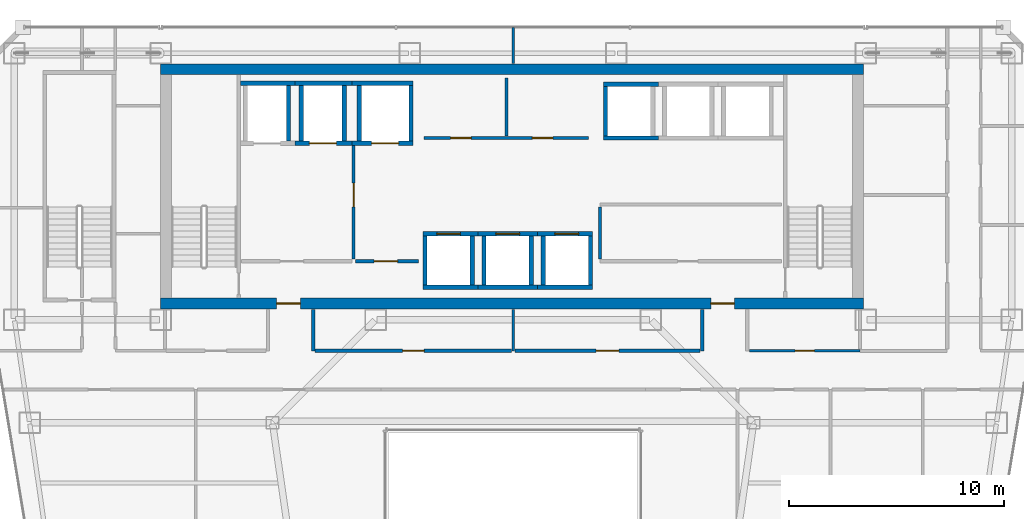
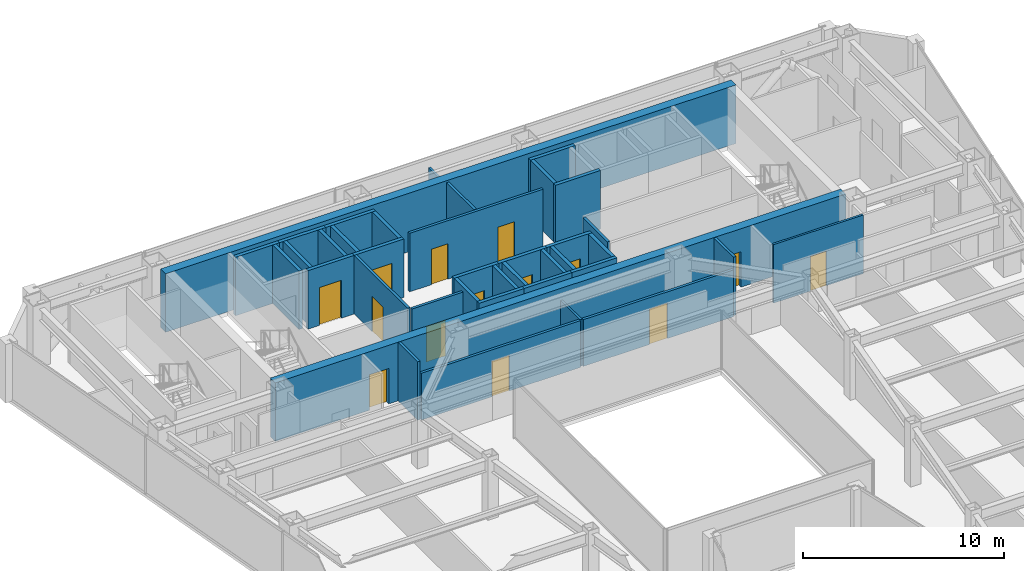
# One storey, part 32 of 36: 39 walls, 14 doors, 14 openings.
"""IFC4 building model written with IfcOpenShell, lengths in metres."""

from ifc_helpers import new_model, si_unit, direction, frame, frame_2d, origin, place, context, subcontext, project, spatial, rectangle, extrude, material, layer, layer_set, type_object, element, fill, save


model = new_model("IFC4")

# Units and contexts
model_context = context("Model", 3, precision=1e-05, world=origin(), true_north=direction((0.0, 1.0)))
body_context = subcontext(model_context, "Body", "Model", "MODEL_VIEW")
ifc_project = project(units=[si_unit("LENGTHUNIT", "METRE"), si_unit("AREAUNIT", "SQUARE_METRE"), si_unit("VOLUMEUNIT", "CUBIC_METRE"), si_unit("PLANEANGLEUNIT", "RADIAN"), si_unit("MASSUNIT", "GRAM", prefix="KILO")], contexts=[model_context])

# Site, building, storey
site_placement = place(None, origin())
site = spatial("IfcSite", under=ifc_project, at=site_placement, CompositionType="ELEMENT")
building_placement = place(site_placement, origin())
building = spatial("IfcBuilding", under=site, at=building_placement, Name="Saevonmaru Cultural Tower", CompositionType="ELEMENT")
storey_placement = place(building_placement, frame((0.0, 0.0, 148.60009765625)))
storey = spatial("IfcBuildingStorey", under=building, at=storey_placement, Name="L32", CompositionType="ELEMENT", Elevation=148.60009765625)

# Wall, openings, doors
ifc_material_1 = material(Name="Concrete C60/75", Category="concrete")
ifc_layer_1 = layer(ifc_material_1, 0.5, Name="Concrete C60/75")
ifc_layer_set_1 = layer_set([ifc_layer_1], Name="Concrete C60/75")
wall_type_1 = type_object("IfcWallType", Name="WL-CORE-500", PredefinedType="SHEAR", material=ifc_layer_set_1)
wall_1_placement = place(storey_placement, frame((13.60009765625, 43.14990234375, 0.0), z_axis=(0.0, 0.0, 1.0), x_axis=(1.0, 0.0, 0.0)))
wall_1 = element("IfcWall", 1, at=wall_1_placement, inside=storey, type_object=wall_type_1, Name="L32 Tower RC core shear wall S", PredefinedType="SHEAR", context=body_context, shape_type="SweptSolid", body=[
    extrude(rectangle(XDim=32.699951171875, YDim=0.5, at=frame_2d((16.35009765625, 0.0))), origin(), (0.0, 0.0, 1.0), 3.5498046875),
])
opening_1_placement = place(wall_1_placement, frame((5.39990234375, 0.0, 0.0)))
opening_1 = element("IfcOpeningElement", 2, at=opening_1_placement, cuts=wall_1, Name="Opening FD-2", PredefinedType="OPENING", context=body_context, shape_type="SweptSolid", body=[
    extrude(rectangle(XDim=1.10009765625, YDim=2.14990234375, at=frame_2d((0.550048828125, 1.074951171875))), frame((0.0, 0.260009765625, 0.0), z_axis=(0.0, -1.0, 0.0), x_axis=(1.0, 0.0, 0.0)), (0.0, 0.0, 1.0), 0.52001953125),
])
opening_2_placement = place(wall_1_placement, frame((25.60009765625, 0.0, 0.0)))
opening_2 = element("IfcOpeningElement", 3, at=opening_2_placement, cuts=wall_1, Name="Opening FD-2", PredefinedType="OPENING", context=body_context, shape_type="SweptSolid", body=[
    extrude(rectangle(XDim=1.10009765625, YDim=2.14990234375, at=frame_2d((0.550048828125, 1.074951171875))), frame((0.0, 0.260009765625, 0.0), z_axis=(0.0, -1.0, 0.0), x_axis=(1.0, 0.0, 0.0)), (0.0, 0.0, 1.0), 0.52001953125),
])
ifc_material_2 = material(Name="Satin Bronze Anodised Aluminium", Category="aluminium")
door_type_1 = type_object("IfcDoorType", Name="DR-FD60-1100", OperationType="SINGLE_SWING_LEFT", PredefinedType="DOOR", material=ifc_material_2)
door_1_placement = place(opening_1_placement, origin())
door_1 = element("IfcDoor", 4, at=door_1_placement, inside=storey, type_object=door_type_1, Name="L32 Core West Lobby Fire Door", OperationType="SINGLE_SWING_LEFT", OverallHeight=2.14990234375, OverallWidth=1.10009765625, PredefinedType="DOOR", context=body_context, shape_type="SweptSolid", body=[
    extrude(rectangle(XDim=1.10009765625, YDim=2.14990234375, at=frame_2d((0.550048828125, 1.074951171875))), frame((0.0, 0.02490234375, 0.0), z_axis=(0.0, -1.0, 0.0), x_axis=(1.0, 0.0, 0.0)), (0.0, 0.0, 1.0), 0.050048828125),
])
fill(opening_1, door_1)
door_2_placement = place(opening_2_placement, origin())
door_2 = element("IfcDoor", 5, at=door_2_placement, inside=storey, type_object=door_type_1, Name="L32 Core East Lobby Fire Door", OperationType="SINGLE_SWING_LEFT", OverallHeight=2.14990234375, OverallWidth=1.10009765625, PredefinedType="DOOR", context=body_context, shape_type="SweptSolid", body=[
    extrude(rectangle(XDim=1.10009765625, YDim=2.14990234375, at=frame_2d((0.550048828125, 1.074951171875))), frame((0.0, 0.02490234375, 0.0), z_axis=(0.0, -1.0, 0.0), x_axis=(1.0, 0.0, 0.0)), (0.0, 0.0, 1.0), 0.050048828125),
])
fill(opening_2, door_2)

# Wall
wall_2_placement = place(storey_placement, frame((13.60009765625, 54.050048828125, 0.0), z_axis=(0.0, 0.0, 1.0), x_axis=(1.0, 0.0, 0.0)))
element("IfcWall", 6, at=wall_2_placement, inside=storey, type_object=wall_type_1, Name="L32 Tower RC core shear wall N", PredefinedType="SHEAR", context=body_context, shape_type="SweptSolid", body=[
    extrude(rectangle(XDim=32.699951171875, YDim=0.5, at=frame_2d((16.35009765625, 0.0))), origin(), (0.0, 0.0, 1.0), 3.5498046875),
])

# Wall, opening, door
ifc_material_3 = material(Name="Gypsum Fireboard Partition", Category="gypsum")
ifc_layer_2 = layer(ifc_material_3, 0.14990234375, Name="Gypsum Fireboard Partition")
ifc_layer_set_2 = layer_set([ifc_layer_2], Name="Gypsum Fireboard Partition")
wall_type_2 = type_object("IfcWallType", Name="WL-CORE-PART-150", PredefinedType="PARTITIONING", material=ifc_layer_set_2)
wall_3_placement = place(storey_placement, frame((22.580078125, 50.550048828125, 0.0), z_axis=(0.0, 0.0, 1.0), x_axis=(0.0, -1.0, 0.0)))
wall_3 = element("IfcWall", 7, at=wall_3_placement, inside=storey, type_object=wall_type_2, Name="L32 Firefighting Lift Lobby East Wall", PredefinedType="PARTITIONING", context=body_context, shape_type="SweptSolid", body=[
    extrude(rectangle(XDim=5.330078125, YDim=0.14990234375, at=frame_2d((2.6650390625, 0.0))), origin(), (0.0, 0.0, 1.0), 3.5498046875),
])
opening_3_placement = place(wall_3_placement, frame((1.800048828125, 0.0, 0.0)))
opening_3 = element("IfcOpeningElement", 8, at=opening_3_placement, cuts=wall_3, Name="Opening FD-2", PredefinedType="OPENING", context=body_context, shape_type="SweptSolid", body=[
    extrude(rectangle(XDim=1.10009765625, YDim=2.14990234375, at=frame_2d((0.550048828125, 1.074951171875))), frame((0.0, 0.0849609375, 0.0), z_axis=(0.0, -1.0, 0.0), x_axis=(1.0, 0.0, 0.0)), (0.0, 0.0, 1.0), 0.169921875),
])
door_3_placement = place(opening_3_placement, origin())
door_3 = element("IfcDoor", 9, at=door_3_placement, inside=storey, type_object=door_type_1, Name="L32 Firefighting Lift Lobby East Door", OperationType="SINGLE_SWING_LEFT", OverallHeight=2.14990234375, OverallWidth=1.10009765625, PredefinedType="DOOR", context=body_context, shape_type="SweptSolid", body=[
    extrude(rectangle(XDim=1.10009765625, YDim=2.14990234375, at=frame_2d((0.550048828125, 1.074951171875))), frame((0.0, 0.02490234375, 0.0), z_axis=(0.0, -1.0, 0.0), x_axis=(1.0, 0.0, 0.0)), (0.0, 0.0, 1.0), 0.050048828125),
])
fill(opening_3, door_3)

wall_4_placement = place(storey_placement, frame((22.679931640625, 45.1201171875, 0.0), z_axis=(0.0, 0.0, 1.0), x_axis=(1.0, 0.0, 0.0)))
wall_4 = element("IfcWall", 10, at=wall_4_placement, inside=storey, type_object=wall_type_2, Name="L32 Service Lift Vestibule Wall", PredefinedType="PARTITIONING", context=body_context, shape_type="SweptSolid", body=[
    extrude(rectangle(XDim=2.920166015625, YDim=0.14990234375, at=frame_2d((1.4599609375, 0.0))), origin(), (0.0, 0.0, 1.0), 3.5498046875),
])
opening_4_placement = place(wall_4_placement, frame((0.85009765625, 0.0, 0.0)))
opening_4 = element("IfcOpeningElement", 11, at=opening_4_placement, cuts=wall_4, Name="Opening FD-2", PredefinedType="OPENING", context=body_context, shape_type="SweptSolid", body=[
    extrude(rectangle(XDim=1.10009765625, YDim=2.14990234375, at=frame_2d((0.550048828125, 1.074951171875))), frame((0.0, 0.0849609375, 0.0), z_axis=(0.0, -1.0, 0.0), x_axis=(1.0, 0.0, 0.0)), (0.0, 0.0, 1.0), 0.169921875),
])
door_4_placement = place(opening_4_placement, origin())
door_4 = element("IfcDoor", 12, at=door_4_placement, inside=storey, type_object=door_type_1, Name="L32 Service Lift Vestibule Door", OperationType="SINGLE_SWING_LEFT", OverallHeight=2.14990234375, OverallWidth=1.10009765625, PredefinedType="DOOR", context=body_context, shape_type="SweptSolid", body=[
    extrude(rectangle(XDim=1.10009765625, YDim=2.14990234375, at=frame_2d((0.550048828125, 1.074951171875))), frame((0.0, 0.02490234375, 0.0), z_axis=(0.0, -1.0, 0.0), x_axis=(1.0, 0.0, 0.0)), (0.0, 0.0, 1.0), 0.050048828125),
])
fill(opening_4, door_4)

# Wall
wall_5_placement = place(storey_placement, frame((34.050048828125, 45.219970703125, 0.0), z_axis=(0.0, 0.0, 1.0), x_axis=(0.0, 1.0, 0.0)))
element("IfcWall", 13, at=wall_5_placement, inside=storey, type_object=wall_type_2, Name="L32 Core Service West Wall", PredefinedType="PARTITIONING", context=body_context, shape_type="SweptSolid", body=[
    extrude(rectangle(XDim=2.429931640625, YDim=0.14990234375, at=frame_2d((1.21484375, 0.0))), origin(), (0.0, 0.0, 1.0), 3.5498046875),
])

# Wall, openings, doors
wall_6_placement = place(storey_placement, frame((25.85009765625, 50.85009765625, 0.0), z_axis=(0.0, 0.0, 1.0), x_axis=(1.0, 0.0, 0.0)))
wall_6 = element("IfcWall", 14, at=wall_6_placement, inside=storey, type_object=wall_type_2, Name="L32 Reclaimed Core Room South Wall", PredefinedType="PARTITIONING", context=body_context, shape_type="SweptSolid", body=[
    extrude(rectangle(XDim=7.64990234375, YDim=0.14990234375, at=frame_2d((3.824951171875, 0.0))), origin(), (0.0, 0.0, 1.0), 3.5498046875),
])
opening_5_placement = place(wall_6_placement, frame((1.25, 0.0, 0.0)))
opening_5 = element("IfcOpeningElement", 15, at=opening_5_placement, cuts=wall_6, Name="Opening FD-4", PredefinedType="OPENING", context=body_context, shape_type="SweptSolid", body=[
    extrude(rectangle(XDim=0.949951171875, YDim=2.14990234375, at=frame_2d((0.47509765625, 1.074951171875))), frame((0.0, 0.0849609375, 0.0), z_axis=(0.0, -1.0, 0.0), x_axis=(1.0, 0.0, 0.0)), (0.0, 0.0, 1.0), 0.169921875),
])
opening_6_placement = place(wall_6_placement, frame((5.050048828125, 0.0, 0.0)))
opening_6 = element("IfcOpeningElement", 16, at=opening_6_placement, cuts=wall_6, Name="Opening FD-4", PredefinedType="OPENING", context=body_context, shape_type="SweptSolid", body=[
    extrude(rectangle(XDim=0.949951171875, YDim=2.14990234375, at=frame_2d((0.47509765625, 1.074951171875))), frame((0.0, 0.0849609375, 0.0), z_axis=(0.0, -1.0, 0.0), x_axis=(1.0, 0.0, 0.0)), (0.0, 0.0, 1.0), 0.169921875),
])
door_type_2 = type_object("IfcDoorType", Name="DR-FD60-950", OperationType="SINGLE_SWING_LEFT", PredefinedType="DOOR", material=ifc_material_2)
door_5_placement = place(opening_5_placement, origin())
door_5 = element("IfcDoor", 17, at=door_5_placement, inside=storey, type_object=door_type_2, Name="L32 Reclaimed Archive Vault Door", OperationType="SINGLE_SWING_LEFT", OverallHeight=2.14990234375, OverallWidth=0.949951171875, PredefinedType="DOOR", context=body_context, shape_type="SweptSolid", body=[
    extrude(rectangle(XDim=0.949951171875, YDim=2.14990234375, at=frame_2d((0.47509765625, 1.074951171875))), frame((0.0, 0.02490234375, 0.0), z_axis=(0.0, -1.0, 0.0), x_axis=(1.0, 0.0, 0.0)), (0.0, 0.0, 1.0), 0.050048828125),
])
fill(opening_5, door_5)
door_6_placement = place(opening_6_placement, origin())
door_6 = element("IfcDoor", 18, at=door_6_placement, inside=storey, type_object=door_type_2, Name="L32 Reclaimed Conservation Storage Door", OperationType="SINGLE_SWING_LEFT", OverallHeight=2.14990234375, OverallWidth=0.949951171875, PredefinedType="DOOR", context=body_context, shape_type="SweptSolid", body=[
    extrude(rectangle(XDim=0.949951171875, YDim=2.14990234375, at=frame_2d((0.47509765625, 1.074951171875))), frame((0.0, 0.02490234375, 0.0), z_axis=(0.0, -1.0, 0.0), x_axis=(1.0, 0.0, 0.0)), (0.0, 0.0, 1.0), 0.050048828125),
])
fill(opening_6, door_6)

# Walls
wall_7_placement = place(storey_placement, frame((29.699951171875, 50.949951171875, 0.0), z_axis=(0.0, 0.0, 1.0), x_axis=(0.0, 1.0, 0.0)))
element("IfcWall", 19, at=wall_7_placement, inside=storey, type_object=wall_type_2, Name="L32 Reclaimed Vault Split", PredefinedType="PARTITIONING", context=body_context, shape_type="SweptSolid", body=[
    extrude(rectangle(XDim=2.699951171875, YDim=0.14990234375, at=frame_2d((1.35009765625, 0.0))), origin(), (0.0, 0.0, 1.0), 3.5498046875),
])
ifc_layer_3 = layer(ifc_material_3, 0.14990234375, Name="Gypsum Fireboard Partition")
ifc_layer_set_3 = layer_set([ifc_layer_3], Name="Gypsum Fireboard Partition")
wall_type_3 = type_object("IfcWallType", Name="WL-PART-FIRE-150", PredefinedType="PARTITIONING", material=ifc_layer_set_3)
for number, where, z_axis, x_axis, name in (
    (20, (20.699951171875, 40.949951171875, 0.0), (0.0, 0.0, 1.0), (0.0, 1.0, 0.0), "L32 Core Portal Side Wall W2"),
    (21, (38.800048828125, 40.949951171875, 0.0), (0.0, 0.0, 1.0), (0.0, 1.0, 0.0), "L32 Core Portal Side Wall E1"),
):
    element("IfcWall", number, at=place(storey_placement, frame(where, z_axis=z_axis, x_axis=x_axis)), inside=storey, type_object=wall_type_3, Name=name, PredefinedType="PARTITIONING", context=body_context, shape_type="SweptSolid", body=[
        extrude(rectangle(XDim=1.929931640625, YDim=0.14990234375, at=frame_2d((0.96484375, 0.0))), origin(), (0.0, 0.0, 1.0), 3.5498046875),
    ])

# Wall, opening, door
wall_8_placement = place(storey_placement, frame((20.794921875, 40.949951171875, 0.0), z_axis=(0.0, 0.0, 1.0), x_axis=(1.0, 0.0, 0.0)))
wall_8 = element("IfcWall", 22, at=wall_8_placement, inside=storey, type_object=wall_type_3, Name="L32 Acoustic Chamber Auditorium Corridor Wall", PredefinedType="PARTITIONING", context=body_context, shape_type="SweptSolid", body=[
    extrude(rectangle(XDim=9.125, YDim=0.14990234375, at=frame_2d((4.5625, 0.0))), origin(), (0.0, 0.0, 1.0), 2.8349609375),
])
opening_7_placement = place(wall_8_placement, frame((4.06201171875, 0.0, 0.0)))
opening_7 = element("IfcOpeningElement", 23, at=opening_7_placement, cuts=wall_8, Name="Opening ID-1B", PredefinedType="OPENING", context=body_context, shape_type="SweptSolid", body=[
    extrude(rectangle(XDim=1.0, YDim=2.14990234375, at=frame_2d((0.5, 1.074951171875))), frame((0.0, 0.0849609375, 0.0), z_axis=(0.0, -1.0, 0.0), x_axis=(1.0, 0.0, 0.0)), (0.0, 0.0, 1.0), 0.169921875),
])
ifc_material_4 = material(Name="Acoustic Stained Oak Timber", Category="wood")
door_type_3 = type_object("IfcDoorType", Name="DR-INT-1000", OperationType="SINGLE_SWING_RIGHT", PredefinedType="DOOR", material=ifc_material_4)
door_7_placement = place(opening_7_placement, origin())
door_7 = element("IfcDoor", 24, at=door_7_placement, inside=storey, type_object=door_type_3, Name="L32 Acoustic Chamber Auditorium Door", OperationType="SINGLE_SWING_LEFT", OverallHeight=2.14990234375, OverallWidth=1.0, PredefinedType="DOOR", context=body_context, shape_type="SweptSolid", body=[
    extrude(rectangle(XDim=1.0, YDim=2.14990234375, at=frame_2d((0.5, 1.074951171875))), frame((0.0, 0.02490234375, 0.0), z_axis=(0.0, -1.0, 0.0), x_axis=(1.0, 0.0, 0.0)), (0.0, 0.0, 1.0), 0.050048828125),
])
fill(opening_7, door_7)

wall_9_placement = place(storey_placement, frame((30.080078125, 40.949951171875, 0.0), z_axis=(0.0, 0.0, 1.0), x_axis=(1.0, 0.0, 0.0)))
wall_9 = element("IfcWall", 25, at=wall_9_placement, inside=storey, type_object=wall_type_3, Name="L32 Sky Observatory Gallery Corridor Wall", PredefinedType="PARTITIONING", context=body_context, shape_type="SweptSolid", body=[
    extrude(rectangle(XDim=8.625, YDim=0.14990234375, at=frame_2d((4.3125, 0.0))), origin(), (0.0, 0.0, 1.0), 2.8349609375),
])
opening_8_placement = place(wall_9_placement, frame((3.7880859375, 0.0, 0.0)))
opening_8 = element("IfcOpeningElement", 26, at=opening_8_placement, cuts=wall_9, Name="Opening ID-1", PredefinedType="OPENING", context=body_context, shape_type="SweptSolid", body=[
    extrude(rectangle(XDim=1.050048828125, YDim=2.14990234375, at=frame_2d((0.52490234375, 1.074951171875))), frame((0.0, 0.0849609375, 0.0), z_axis=(0.0, -1.0, 0.0), x_axis=(1.0, 0.0, 0.0)), (0.0, 0.0, 1.0), 0.169921875),
])
door_type_4 = type_object("IfcDoorType", Name="DR-INT-1050", OperationType="SINGLE_SWING_LEFT", PredefinedType="DOOR", material=ifc_material_2)
door_8_placement = place(opening_8_placement, origin())
door_8 = element("IfcDoor", 27, at=door_8_placement, inside=storey, type_object=door_type_4, Name="L32 Sky Observatory Gallery Door", OperationType="SINGLE_SWING_RIGHT", OverallHeight=2.14990234375, OverallWidth=1.050048828125, PredefinedType="DOOR", context=body_context, shape_type="SweptSolid", body=[
    extrude(rectangle(XDim=1.050048828125, YDim=2.14990234375, at=frame_2d((0.52490234375, 1.074951171875))), frame((0.0, 0.02490234375, 0.0), z_axis=(0.0, -1.0, 0.0), x_axis=(1.0, 0.0, 0.0)), (0.0, 0.0, 1.0), 0.050048828125),
])
fill(opening_8, door_8)

# Walls
ifc_layer_4 = layer(ifc_material_3, 0.1201171875, Name="Gypsum Fireboard Partition")
ifc_layer_set_4 = layer_set([ifc_layer_4], Name="Gypsum Fireboard Partition")
wall_type_4 = type_object("IfcWallType", Name="WL-PART-GYP-120", PredefinedType="PARTITIONING", material=ifc_layer_set_4)
wall_10_placement = place(storey_placement, frame((30.0, 54.320068359375, 0.0), z_axis=(0.0, 0.0, 1.0), x_axis=(0.0, 1.0, 0.0)))
element("IfcWall", 28, at=wall_10_placement, inside=storey, type_object=wall_type_4, Name="L32 North Panorama Center Split", PredefinedType="PARTITIONING", context=body_context, shape_type="SweptSolid", body=[
    extrude(rectangle(XDim=1.675048828125, YDim=0.1201171875, at=frame_2d((0.83740234375, 0.0))), origin(), (0.0, 0.0, 1.0), 2.934814453125),
])
wall_11_placement = place(storey_placement, frame((30.0, 40.949951171875, 0.0), z_axis=(0.0, 0.0, 1.0), x_axis=(0.0, 1.0, 0.0)))
element("IfcWall", 29, at=wall_11_placement, inside=storey, type_object=wall_type_4, Name="L32 Spine Alcove Split", PredefinedType="PARTITIONING", context=body_context, shape_type="SweptSolid", body=[
    extrude(rectangle(XDim=1.929931640625, YDim=0.1201171875, at=frame_2d((0.96484375, 0.0))), origin(), (0.0, 0.0, 1.0), 2.8349609375),
])

# Wall, opening, door
wall_12_placement = place(storey_placement, frame((40.9951171875, 40.949951171875, 0.0), z_axis=(0.0, 0.0, 1.0), x_axis=(1.0, 0.0, 0.0)))
wall_12 = element("IfcWall", 30, at=wall_12_placement, inside=storey, type_object=wall_type_4, Name="L32 Civic Policy Meeting Room Corridor Wall", PredefinedType="PARTITIONING", context=body_context, shape_type="SweptSolid", body=[
    extrude(rectangle(XDim=5.15478515625, YDim=0.1201171875, at=frame_2d((2.577392578125, 0.0))), origin(), (0.0, 0.0, 1.0), 3.5498046875),
])
opening_9_placement = place(wall_12_placement, frame((2.1279296875, 0.0, 0.0)))
opening_9 = element("IfcOpeningElement", 31, at=opening_9_placement, cuts=wall_12, Name="Opening ID-2", PredefinedType="OPENING", context=body_context, shape_type="SweptSolid", body=[
    extrude(rectangle(XDim=0.89990234375, YDim=2.10009765625, at=frame_2d((0.449951171875, 1.050048828125))), frame((0.0, 0.070068359375, 0.0), z_axis=(0.0, -1.0, 0.0), x_axis=(1.0, 0.0, 0.0)), (0.0, 0.0, 1.0), 0.14013671875),
])
door_type_5 = type_object("IfcDoorType", Name="DR-INT-900", OperationType="SINGLE_SWING_RIGHT", PredefinedType="DOOR", material=ifc_material_4)
door_9_placement = place(opening_9_placement, origin())
door_9 = element("IfcDoor", 32, at=door_9_placement, inside=storey, type_object=door_type_5, Name="L32 Civic Policy Meeting Room Door", OperationType="SINGLE_SWING_LEFT", OverallHeight=2.10009765625, OverallWidth=0.89990234375, PredefinedType="DOOR", context=body_context, shape_type="SweptSolid", body=[
    extrude(rectangle(XDim=0.89990234375, YDim=2.10009765625, at=frame_2d((0.449951171875, 1.050048828125))), frame((0.0, 0.02490234375, 0.0), z_axis=(0.0, -1.0, 0.0), x_axis=(1.0, 0.0, 0.0)), (0.0, 0.0, 1.0), 0.050048828125),
])
fill(opening_9, door_9)

# Walls
ifc_material_5 = material(Name="Concrete C40/50", Category="concrete")
ifc_layer_5 = layer(ifc_material_5, 0.199951171875, Name="Concrete C40/50")
ifc_layer_set_5 = layer_set([ifc_layer_5], Name="Concrete C40/50")
wall_type_5 = type_object("IfcWallType", Name="WL-SHAFT-200", PredefinedType="SHEAR", material=ifc_layer_set_5)
wall_13_placement = place(storey_placement, frame((17.330078125, 53.39990234375, 0.0), z_axis=(0.0, 0.0, 1.0), x_axis=(1.0, 0.0, 0.0)))
element("IfcWall", 33, at=wall_13_placement, inside=storey, type_object=wall_type_5, Name="L32 Lift FFL-1 Hoistway Wall N", PredefinedType="SHEAR", context=body_context, shape_type="SweptSolid", body=[
    extrude(rectangle(XDim=2.52001953125, YDim=0.199951171875, at=frame_2d((1.260009765625, 0.0))), origin(), (0.0, 0.0, 1.0), 3.5498046875),
])
wall_14_placement = place(storey_placement, frame((19.550048828125, 50.699951171875, 0.0), z_axis=(0.0, 0.0, 1.0), x_axis=(0.0, 1.0, 0.0)))
element("IfcWall", 34, at=wall_14_placement, inside=storey, type_object=wall_type_5, Name="L32 Lift FFL-1 Hoistway Wall E", PredefinedType="SHEAR", context=body_context, shape_type="SweptSolid", body=[
    extrude(rectangle(XDim=2.60009765625, YDim=0.199951171875, at=frame_2d((1.300048828125, 0.0))), origin(), (0.0, 0.0, 1.0), 3.5498046875),
])

# Wall, opening, door
wall_15_placement = place(storey_placement, frame((19.85009765625, 50.60009765625, 0.0), z_axis=(0.0, 0.0, 1.0), x_axis=(1.0, 0.0, 0.0)))
wall_15 = element("IfcWall", 35, at=wall_15_placement, inside=storey, type_object=wall_type_5, Name="L32 Lift FFL-2 Hoistway Wall S", PredefinedType="SHEAR", context=body_context, shape_type="SweptSolid", body=[
    extrude(rectangle(XDim=2.64990234375, YDim=0.199951171875, at=frame_2d((1.324951171875, 0.0))), origin(), (0.0, 0.0, 1.0), 3.5498046875),
])
opening_10_placement = place(wall_15_placement, frame((0.675048828125, 0.0, 0.0)))
opening_10 = element("IfcOpeningElement", 36, at=opening_10_placement, cuts=wall_15, Name="Opening LD-2", PredefinedType="OPENING", context=body_context, shape_type="SweptSolid", body=[
    extrude(rectangle(XDim=1.25, YDim=2.300048828125, at=frame_2d((0.625, 1.14990234375))), frame((0.0, 0.10986328125, 0.0), z_axis=(0.0, -1.0, 0.0), x_axis=(1.0, 0.0, 0.0)), (0.0, 0.0, 1.0), 0.219970703125),
])
ifc_material_6 = material(Name="Stainless Steel 316", Category="steel")
door_type_6 = type_object("IfcDoorType", Name="DR-LIFT-1250", OperationType="SLIDING_TO_LEFT", PredefinedType="DOOR", material=ifc_material_6)
door_10_placement = place(opening_10_placement, origin())
door_10 = element("IfcDoor", 37, at=door_10_placement, inside=storey, type_object=door_type_6, Name="L32 Lift FFL-2 Sliding Landing Door", OperationType="SLIDING_TO_LEFT", OverallHeight=2.300048828125, OverallWidth=1.25, PredefinedType="DOOR", context=body_context, shape_type="SweptSolid", body=[
    extrude(rectangle(XDim=1.25, YDim=2.300048828125, at=frame_2d((0.625, 1.14990234375))), frame((0.0, 0.02490234375, 0.0), z_axis=(0.0, -1.0, 0.0), x_axis=(1.0, 0.0, 0.0)), (0.0, 0.0, 1.0), 0.050048828125),
])
fill(opening_10, door_10)

# Walls
wall_16_placement = place(storey_placement, frame((19.85009765625, 53.39990234375, 0.0), z_axis=(0.0, 0.0, 1.0), x_axis=(1.0, 0.0, 0.0)))
element("IfcWall", 38, at=wall_16_placement, inside=storey, type_object=wall_type_5, Name="L32 Lift FFL-2 Hoistway Wall N", PredefinedType="SHEAR", context=body_context, shape_type="SweptSolid", body=[
    extrude(rectangle(XDim=2.64990234375, YDim=0.199951171875, at=frame_2d((1.324951171875, 0.0))), origin(), (0.0, 0.0, 1.0), 3.5498046875),
])
for number, where, z_axis, x_axis, name in (
    (39, (20.14990234375, 50.699951171875, 0.0), (0.0, 0.0, 1.0), (0.0, 1.0, 0.0), "L32 Lift FFL-2 Hoistway Wall W"),
    (40, (22.14990234375, 50.699951171875, 0.0), (0.0, 0.0, 1.0), (0.0, 1.0, 0.0), "L32 Lift FFL-2 Hoistway Wall E"),
):
    element("IfcWall", number, at=place(storey_placement, frame(where, z_axis=z_axis, x_axis=x_axis)), inside=storey, type_object=wall_type_5, Name=name, PredefinedType="SHEAR", context=body_context, shape_type="SweptSolid", body=[
        extrude(rectangle(XDim=2.60009765625, YDim=0.199951171875, at=frame_2d((1.300048828125, 0.0))), origin(), (0.0, 0.0, 1.0), 3.5498046875),
    ])

# Wall, opening, door
wall_17_placement = place(storey_placement, frame((22.5, 50.60009765625, 0.0), z_axis=(0.0, 0.0, 1.0), x_axis=(1.0, 0.0, 0.0)))
wall_17 = element("IfcWall", 41, at=wall_17_placement, inside=storey, type_object=wall_type_5, Name="L32 Lift GL-1 Hoistway Wall S", PredefinedType="SHEAR", context=body_context, shape_type="SweptSolid", body=[
    extrude(rectangle(XDim=2.85009765625, YDim=0.199951171875, at=frame_2d((1.425048828125, 0.0))), origin(), (0.0, 0.0, 1.0), 3.5498046875),
])
opening_11_placement = place(wall_17_placement, frame((0.925048828125, 0.0, 0.0)))
opening_11 = element("IfcOpeningElement", 42, at=opening_11_placement, cuts=wall_17, Name="Opening LD-2", PredefinedType="OPENING", context=body_context, shape_type="SweptSolid", body=[
    extrude(rectangle(XDim=1.25, YDim=2.300048828125, at=frame_2d((0.625, 1.14990234375))), frame((0.0, 0.10986328125, 0.0), z_axis=(0.0, -1.0, 0.0), x_axis=(1.0, 0.0, 0.0)), (0.0, 0.0, 1.0), 0.219970703125),
])
door_11_placement = place(opening_11_placement, origin())
door_11 = element("IfcDoor", 43, at=door_11_placement, inside=storey, type_object=door_type_6, Name="L32 Lift GL-1 Sliding Landing Door", OperationType="SLIDING_TO_LEFT", OverallHeight=2.300048828125, OverallWidth=1.25, PredefinedType="DOOR", context=body_context, shape_type="SweptSolid", body=[
    extrude(rectangle(XDim=1.25, YDim=2.300048828125, at=frame_2d((0.625, 1.14990234375))), frame((0.0, 0.02490234375, 0.0), z_axis=(0.0, -1.0, 0.0), x_axis=(1.0, 0.0, 0.0)), (0.0, 0.0, 1.0), 0.050048828125),
])
fill(opening_11, door_11)

# Walls
wall_18_placement = place(storey_placement, frame((22.5, 53.39990234375, 0.0), z_axis=(0.0, 0.0, 1.0), x_axis=(1.0, 0.0, 0.0)))
element("IfcWall", 44, at=wall_18_placement, inside=storey, type_object=wall_type_5, Name="L32 Lift GL-1 Hoistway Wall N", PredefinedType="SHEAR", context=body_context, shape_type="SweptSolid", body=[
    extrude(rectangle(XDim=2.85009765625, YDim=0.199951171875, at=frame_2d((1.425048828125, 0.0))), origin(), (0.0, 0.0, 1.0), 3.5498046875),
])
for number, where, z_axis, x_axis, name in (
    (45, (22.85009765625, 50.699951171875, 0.0), (0.0, 0.0, 1.0), (0.0, 1.0, 0.0), "L32 Lift GL-1 Hoistway Wall W"),
    (46, (25.25, 50.699951171875, 0.0), (0.0, 0.0, 1.0), (0.0, 1.0, 0.0), "L32 Lift GL-1 Hoistway Wall E"),
):
    element("IfcWall", number, at=place(storey_placement, frame(where, z_axis=z_axis, x_axis=x_axis)), inside=storey, type_object=wall_type_5, Name=name, PredefinedType="SHEAR", context=body_context, shape_type="SweptSolid", body=[
        extrude(rectangle(XDim=2.60009765625, YDim=0.199951171875, at=frame_2d((1.300048828125, 0.0))), origin(), (0.0, 0.0, 1.0), 3.5498046875),
    ])
wall_19_placement = place(storey_placement, frame((25.800048828125, 43.89990234375, 0.0), z_axis=(0.0, 0.0, 1.0), x_axis=(1.0, 0.0, 0.0)))
element("IfcWall", 47, at=wall_19_placement, inside=storey, type_object=wall_type_5, Name="L32 Lift PL-M1 Hoistway Wall S", PredefinedType="SHEAR", context=body_context, shape_type="SweptSolid", body=[
    extrude(rectangle(XDim=2.574951171875, YDim=0.199951171875, at=frame_2d((1.28759765625, 0.0))), origin(), (0.0, 0.0, 1.0), 3.5498046875),
])

# Wall, opening, door
wall_20_placement = place(storey_placement, frame((25.800048828125, 46.39990234375, 0.0), z_axis=(0.0, 0.0, 1.0), x_axis=(1.0, 0.0, 0.0)))
wall_20 = element("IfcWall", 48, at=wall_20_placement, inside=storey, type_object=wall_type_5, Name="L32 Lift PL-M1 Hoistway Wall N", PredefinedType="SHEAR", context=body_context, shape_type="SweptSolid", body=[
    extrude(rectangle(XDim=2.574951171875, YDim=0.199951171875, at=frame_2d((1.28759765625, 0.0))), origin(), (0.0, 0.0, 1.0), 3.5498046875),
])
opening_12_placement = place(wall_20_placement, frame((0.64990234375, 0.0, 0.0)))
opening_12 = element("IfcOpeningElement", 49, at=opening_12_placement, cuts=wall_20, Name="Opening LD-1", PredefinedType="OPENING", context=body_context, shape_type="SweptSolid", body=[
    extrude(rectangle(XDim=1.10009765625, YDim=2.199951171875, at=frame_2d((0.550048828125, 1.10009765625))), frame((0.0, 0.10986328125, 0.0), z_axis=(0.0, -1.0, 0.0), x_axis=(1.0, 0.0, 0.0)), (0.0, 0.0, 1.0), 0.219970703125),
])
ifc_material_7 = material(Name="Satin Bronze Stainless Steel", Category="steel")
door_type_7 = type_object("IfcDoorType", Name="DR-LIFT-1100", OperationType="SLIDING_TO_LEFT", PredefinedType="DOOR", material=ifc_material_7)
door_12_placement = place(opening_12_placement, origin())
door_12 = element("IfcDoor", 50, at=door_12_placement, inside=storey, type_object=door_type_7, Name="L32 Lift PL-M1 Sliding Landing Door", OperationType="SLIDING_TO_LEFT", OverallHeight=2.199951171875, OverallWidth=1.10009765625, PredefinedType="DOOR", context=body_context, shape_type="SweptSolid", body=[
    extrude(rectangle(XDim=1.10009765625, YDim=2.199951171875, at=frame_2d((0.550048828125, 1.10009765625))), frame((0.0, 0.02490234375, 0.0), z_axis=(0.0, -1.0, 0.0), x_axis=(1.0, 0.0, 0.0)), (0.0, 0.0, 1.0), 0.050048828125),
])
fill(opening_12, door_12)

# Walls
for number, where, z_axis, x_axis, name in (
    (51, (25.89990234375, 44.0, 0.0), (0.0, 0.0, 1.0), (0.0, 1.0, 0.0), "L32 Lift PL-M1 Hoistway Wall W"),
    (52, (28.10009765625, 44.0, 0.0), (0.0, 0.0, 1.0), (0.0, 1.0, 0.0), "L32 Lift PL-M1 Hoistway Wall E"),
):
    element("IfcWall", number, at=place(storey_placement, frame(where, z_axis=z_axis, x_axis=x_axis)), inside=storey, type_object=wall_type_5, Name=name, PredefinedType="SHEAR", context=body_context, shape_type="SweptSolid", body=[
        extrude(rectangle(XDim=2.300048828125, YDim=0.199951171875, at=frame_2d((1.14990234375, 0.0))), origin(), (0.0, 0.0, 1.0), 3.5498046875),
    ])
wall_21_placement = place(storey_placement, frame((28.375, 43.89990234375, 0.0), z_axis=(0.0, 0.0, 1.0), x_axis=(1.0, 0.0, 0.0)))
element("IfcWall", 53, at=wall_21_placement, inside=storey, type_object=wall_type_5, Name="L32 Lift PL-M2 Hoistway Wall S", PredefinedType="SHEAR", context=body_context, shape_type="SweptSolid", body=[
    extrude(rectangle(XDim=2.75, YDim=0.199951171875, at=frame_2d((1.375, 0.0))), origin(), (0.0, 0.0, 1.0), 3.5498046875),
])

# Wall, opening, door
wall_22_placement = place(storey_placement, frame((28.375, 46.39990234375, 0.0), z_axis=(0.0, 0.0, 1.0), x_axis=(1.0, 0.0, 0.0)))
wall_22 = element("IfcWall", 54, at=wall_22_placement, inside=storey, type_object=wall_type_5, Name="L32 Lift PL-M2 Hoistway Wall N", PredefinedType="SHEAR", context=body_context, shape_type="SweptSolid", body=[
    extrude(rectangle(XDim=2.75, YDim=0.199951171875, at=frame_2d((1.375, 0.0))), origin(), (0.0, 0.0, 1.0), 3.5498046875),
])
opening_13_placement = place(wall_22_placement, frame((0.824951171875, 0.0, 0.0)))
opening_13 = element("IfcOpeningElement", 55, at=opening_13_placement, cuts=wall_22, Name="Opening LD-1", PredefinedType="OPENING", context=body_context, shape_type="SweptSolid", body=[
    extrude(rectangle(XDim=1.10009765625, YDim=2.199951171875, at=frame_2d((0.550048828125, 1.10009765625))), frame((0.0, 0.10986328125, 0.0), z_axis=(0.0, -1.0, 0.0), x_axis=(1.0, 0.0, 0.0)), (0.0, 0.0, 1.0), 0.219970703125),
])
door_13_placement = place(opening_13_placement, origin())
door_13 = element("IfcDoor", 56, at=door_13_placement, inside=storey, type_object=door_type_7, Name="L32 Lift PL-M2 Sliding Landing Door", OperationType="SLIDING_TO_LEFT", OverallHeight=2.199951171875, OverallWidth=1.10009765625, PredefinedType="DOOR", context=body_context, shape_type="SweptSolid", body=[
    extrude(rectangle(XDim=1.10009765625, YDim=2.199951171875, at=frame_2d((0.550048828125, 1.10009765625))), frame((0.0, 0.02490234375, 0.0), z_axis=(0.0, -1.0, 0.0), x_axis=(1.0, 0.0, 0.0)), (0.0, 0.0, 1.0), 0.050048828125),
])
fill(opening_13, door_13)

# Walls
for number, where, z_axis, x_axis, name in (
    (57, (28.64990234375, 44.0, 0.0), (0.0, 0.0, 1.0), (0.0, 1.0, 0.0), "L32 Lift PL-M2 Hoistway Wall W"),
    (58, (30.85009765625, 44.0, 0.0), (0.0, 0.0, 1.0), (0.0, 1.0, 0.0), "L32 Lift PL-M2 Hoistway Wall E"),
):
    element("IfcWall", number, at=place(storey_placement, frame(where, z_axis=z_axis, x_axis=x_axis)), inside=storey, type_object=wall_type_5, Name=name, PredefinedType="SHEAR", context=body_context, shape_type="SweptSolid", body=[
        extrude(rectangle(XDim=2.300048828125, YDim=0.199951171875, at=frame_2d((1.14990234375, 0.0))), origin(), (0.0, 0.0, 1.0), 3.5498046875),
    ])
wall_23_placement = place(storey_placement, frame((31.125, 43.89990234375, 0.0), z_axis=(0.0, 0.0, 1.0), x_axis=(1.0, 0.0, 0.0)))
element("IfcWall", 59, at=wall_23_placement, inside=storey, type_object=wall_type_5, Name="L32 Lift PL-M3 Hoistway Wall S", PredefinedType="SHEAR", context=body_context, shape_type="SweptSolid", body=[
    extrude(rectangle(XDim=2.574951171875, YDim=0.199951171875, at=frame_2d((1.28759765625, 0.0))), origin(), (0.0, 0.0, 1.0), 3.5498046875),
])

# Wall, opening, door
wall_24_placement = place(storey_placement, frame((31.125, 46.39990234375, 0.0), z_axis=(0.0, 0.0, 1.0), x_axis=(1.0, 0.0, 0.0)))
wall_24 = element("IfcWall", 60, at=wall_24_placement, inside=storey, type_object=wall_type_5, Name="L32 Lift PL-M3 Hoistway Wall N", PredefinedType="SHEAR", context=body_context, shape_type="SweptSolid", body=[
    extrude(rectangle(XDim=2.574951171875, YDim=0.199951171875, at=frame_2d((1.28759765625, 0.0))), origin(), (0.0, 0.0, 1.0), 3.5498046875),
])
opening_14_placement = place(wall_24_placement, frame((0.824951171875, 0.0, 0.0)))
opening_14 = element("IfcOpeningElement", 61, at=opening_14_placement, cuts=wall_24, Name="Opening LD-1", PredefinedType="OPENING", context=body_context, shape_type="SweptSolid", body=[
    extrude(rectangle(XDim=1.10009765625, YDim=2.199951171875, at=frame_2d((0.550048828125, 1.10009765625))), frame((0.0, 0.10986328125, 0.0), z_axis=(0.0, -1.0, 0.0), x_axis=(1.0, 0.0, 0.0)), (0.0, 0.0, 1.0), 0.219970703125),
])
door_14_placement = place(opening_14_placement, origin())
door_14 = element("IfcDoor", 62, at=door_14_placement, inside=storey, type_object=door_type_7, Name="L32 Lift PL-M3 Sliding Landing Door", OperationType="SLIDING_TO_LEFT", OverallHeight=2.199951171875, OverallWidth=1.10009765625, PredefinedType="DOOR", context=body_context, shape_type="SweptSolid", body=[
    extrude(rectangle(XDim=1.10009765625, YDim=2.199951171875, at=frame_2d((0.550048828125, 1.10009765625))), frame((0.0, 0.02490234375, 0.0), z_axis=(0.0, -1.0, 0.0), x_axis=(1.0, 0.0, 0.0)), (0.0, 0.0, 1.0), 0.050048828125),
])
fill(opening_14, door_14)

# Walls
for number, where, z_axis, x_axis, name in (
    (63, (31.39990234375, 44.0, 0.0), (0.0, 0.0, 1.0), (0.0, 1.0, 0.0), "L32 Lift PL-M3 Hoistway Wall W"),
    (64, (33.60009765625, 44.0, 0.0), (0.0, 0.0, 1.0), (0.0, 1.0, 0.0), "L32 Lift PL-M3 Hoistway Wall E"),
):
    element("IfcWall", number, at=place(storey_placement, frame(where, z_axis=z_axis, x_axis=x_axis)), inside=storey, type_object=wall_type_5, Name=name, PredefinedType="SHEAR", context=body_context, shape_type="SweptSolid", body=[
        extrude(rectangle(XDim=2.300048828125, YDim=0.199951171875, at=frame_2d((1.14990234375, 0.0))), origin(), (0.0, 0.0, 1.0), 3.5498046875),
    ])
for number, where, z_axis, x_axis, name in (
    (65, (34.199951171875, 50.85009765625, 0.0), (0.0, 0.0, 1.0), (1.0, 0.0, 0.0), "L32 Lift PL-H1 Hoistway Wall S"),
    (66, (34.199951171875, 53.35009765625, 0.0), (0.0, 0.0, 1.0), (1.0, 0.0, 0.0), "L32 Lift PL-H1 Hoistway Wall N"),
):
    element("IfcWall", number, at=place(storey_placement, frame(where, z_axis=z_axis, x_axis=x_axis)), inside=storey, type_object=wall_type_5, Name=name, PredefinedType="SHEAR", context=body_context, shape_type="SweptSolid", body=[
        extrude(rectangle(XDim=2.574951171875, YDim=0.199951171875, at=frame_2d((1.28759765625, 0.0))), origin(), (0.0, 0.0, 1.0), 3.5498046875),
    ])
wall_25_placement = place(storey_placement, frame((34.300048828125, 50.949951171875, 0.0), z_axis=(0.0, 0.0, 1.0), x_axis=(0.0, 1.0, 0.0)))
element("IfcWall", 67, at=wall_25_placement, inside=storey, type_object=wall_type_5, Name="L32 Lift PL-H1 Hoistway Wall W", PredefinedType="SHEAR", context=body_context, shape_type="SweptSolid", body=[
    extrude(rectangle(XDim=2.300048828125, YDim=0.199951171875, at=frame_2d((1.14990234375, 0.0))), origin(), (0.0, 0.0, 1.0), 3.5498046875),
])

save(model, "model.ifc")
